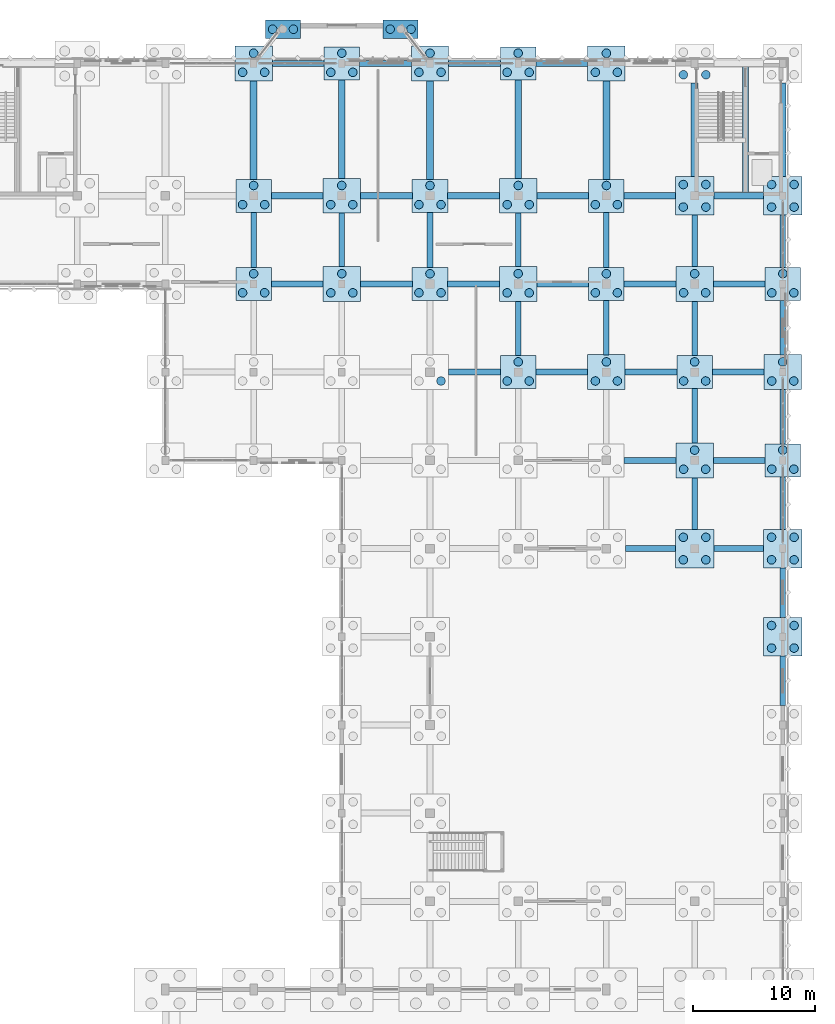
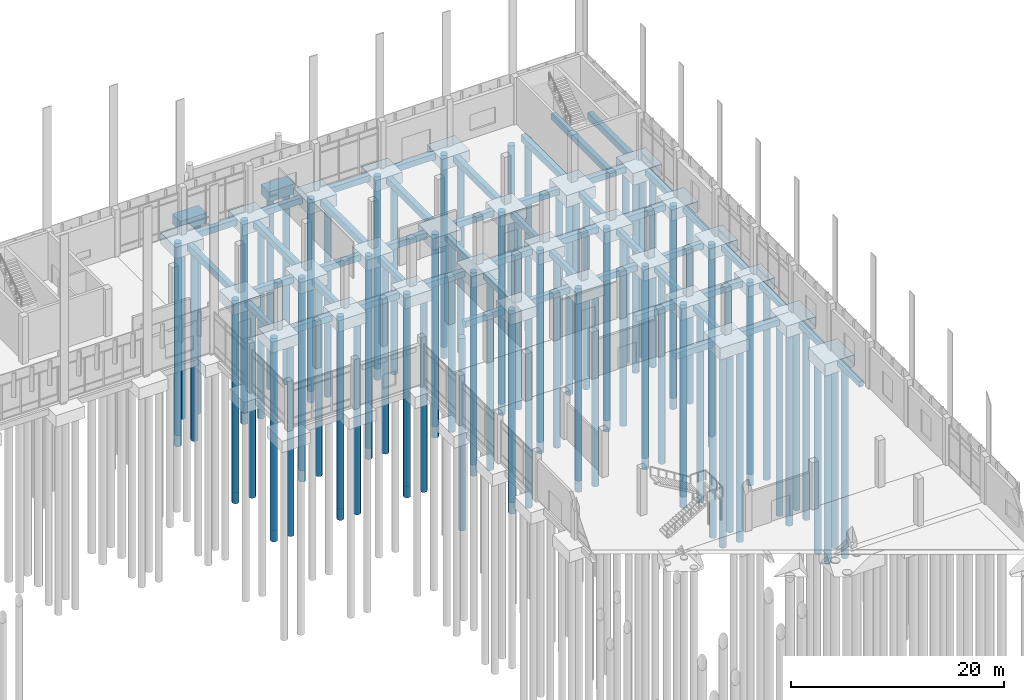
# One storey, part 9 of 109: 96 piles, 79 footings.
"""IFC4 building model written with IfcOpenShell, lengths in metres."""

from ifc_helpers import new_model, si_unit, direction, frame, origin, origin_2d, place, context, subcontext, project, spatial, rectangle, circle, extrude, material, material_profile, profile_set, type_object, element, save


model = new_model("IFC4")

# Units and contexts
model_context = context("Model", 3, precision=1e-05, world=origin(), true_north=direction((0.0, 1.0)))
body_context = subcontext(model_context, "Body", "Model", "MODEL_VIEW")
ifc_project = project(units=[si_unit("LENGTHUNIT", "METRE"), si_unit("AREAUNIT", "SQUARE_METRE"), si_unit("VOLUMEUNIT", "CUBIC_METRE"), si_unit("PLANEANGLEUNIT", "RADIAN"), si_unit("MASSUNIT", "GRAM", prefix="KILO")], contexts=[model_context])

# Site, building, storey
site_placement = place(None, origin())
site = spatial("IfcSite", under=ifc_project, at=site_placement, CompositionType="ELEMENT")
building_placement = place(site_placement, origin())
building = spatial("IfcBuilding", under=site, at=building_placement, Name="Lusvemor Sports Hall", CompositionType="ELEMENT")
storey_placement = place(building_placement, origin())
storey = spatial("IfcBuildingStorey", under=building, at=storey_placement, Name="L00", CompositionType="ELEMENT", Elevation=0.0)

# Footings
ifc_material_1 = material(Name="Concrete C40/50", Category="concrete")
ifc_material_profile_1 = material_profile(ifc_material_1, rectangle(XDim=0.449951171875, YDim=0.64990234375, at=origin_2d()), Name="GB_450x650")
ifc_profile_set_1 = profile_set([ifc_material_profile_1], Name="Concrete C40/50")
footing_type_1 = type_object("IfcFootingType", Name="GBEAM_450x650", PredefinedType="FOOTING_BEAM", material=ifc_profile_set_1)
footing_1_placement = place(storey_placement, frame((126.0, 98.548095703125, -0.625), z_axis=(0.0, 1.0, 0.0), x_axis=(-1.0, 0.0, 0.0)))
element("IfcFooting", 1, at=footing_1_placement, inside=storey, type_object=footing_type_1, Name="Ground Tie Beam 14:N-P", PredefinedType="FOOTING_BEAM", context=body_context, shape_type="SweptSolid", body=[
    extrude(rectangle(XDim=0.449951171875, YDim=0.64990234375, at=origin_2d()), origin(), (0.0, 0.0, 1.0), 4.50390625),
])
footing_2_placement = place(storey_placement, frame((133.199951171875, 98.623046875, -0.625), z_axis=(0.0, 1.0, 0.0), x_axis=(-1.0, 0.0, 0.0)))
element("IfcFooting", 2, at=footing_2_placement, inside=storey, type_object=footing_type_1, Name="Ground Tie Beam 15:N-P", PredefinedType="FOOTING_BEAM", context=body_context, shape_type="SweptSolid", body=[
    extrude(rectangle(XDim=0.449951171875, YDim=0.64990234375, at=origin_2d()), origin(), (0.0, 0.0, 1.0), 4.35400390625),
])
footing_3_placement = place(storey_placement, frame((140.39990234375, 98.548095703125, -0.625), z_axis=(0.0, 1.0, 0.0), x_axis=(-1.0, 0.0, 0.0)))
element("IfcFooting", 3, at=footing_3_placement, inside=storey, type_object=footing_type_1, Name="Ground Tie Beam 16:N-P", PredefinedType="FOOTING_BEAM", context=body_context, shape_type="SweptSolid", body=[
    extrude(rectangle(XDim=0.449951171875, YDim=0.64990234375, at=origin_2d()), origin(), (0.0, 0.0, 1.0), 4.50390625),
])
footing_4_placement = place(storey_placement, frame((147.60009765625, 91.347900390625, -0.625), z_axis=(0.0, 1.0, 0.0), x_axis=(-1.0, 0.0, 0.0)))
element("IfcFooting", 4, at=footing_4_placement, inside=storey, type_object=footing_type_1, Name="Ground Tie Beam 17:M-N", PredefinedType="FOOTING_BEAM", context=body_context, shape_type="SweptSolid", body=[
    extrude(rectangle(XDim=0.449951171875, YDim=0.64990234375, at=origin_2d()), origin(), (0.0, 0.0, 1.0), 4.42919921875),
])
footing_5_placement = place(storey_placement, frame((147.60009765625, 98.623046875, -0.625), z_axis=(0.0, 1.0, 0.0), x_axis=(-1.0, 0.0, 0.0)))
element("IfcFooting", 5, at=footing_5_placement, inside=storey, type_object=footing_type_1, Name="Ground Tie Beam 17:N-P", PredefinedType="FOOTING_BEAM", context=body_context, shape_type="SweptSolid", body=[
    extrude(rectangle(XDim=0.449951171875, YDim=0.64990234375, at=origin_2d()), origin(), (0.0, 0.0, 1.0), 4.35400390625),
])
footing_6_placement = place(storey_placement, frame((154.800048828125, 91.423095703125, -0.625), z_axis=(0.0, 1.0, 0.0), x_axis=(-1.0, 0.0, 0.0)))
element("IfcFooting", 6, at=footing_6_placement, inside=storey, type_object=footing_type_1, Name="Ground Tie Beam 18:M-N", PredefinedType="FOOTING_BEAM", context=body_context, shape_type="SweptSolid", body=[
    extrude(rectangle(XDim=0.449951171875, YDim=0.64990234375, at=origin_2d()), origin(), (0.0, 0.0, 1.0), 4.428955078125),
])
footing_7_placement = place(storey_placement, frame((154.800048828125, 98.548095703125, -0.625), z_axis=(0.0, 1.0, 0.0), x_axis=(-1.0, 0.0, 0.0)))
element("IfcFooting", 7, at=footing_7_placement, inside=storey, type_object=footing_type_1, Name="Ground Tie Beam 18:N-P", PredefinedType="FOOTING_BEAM", context=body_context, shape_type="SweptSolid", body=[
    extrude(rectangle(XDim=0.449951171875, YDim=0.64990234375, at=origin_2d()), origin(), (0.0, 0.0, 1.0), 4.50390625),
])
footing_8_placement = place(storey_placement, frame((162.0, 77.173095703125, -0.625), z_axis=(0.0, 1.0, 0.0), x_axis=(-1.0, 0.0, 0.0)))
element("IfcFooting", 8, at=footing_8_placement, inside=storey, type_object=footing_type_1, Name="Ground Tie Beam 19:K-L", PredefinedType="FOOTING_BEAM", context=body_context, shape_type="SweptSolid", body=[
    extrude(rectangle(XDim=0.449951171875, YDim=0.64990234375, at=origin_2d()), origin(), (0.0, 0.0, 1.0), 4.203857421875),
])
for number, where, z_axis, x_axis, name in (
    (9, (162.0, 84.222900390625, -0.625), (0.0, 1.0, 0.0), (-1.0, 0.0, 0.0), "Ground Tie Beam 19:L-M"),
    (10, (162.0, 91.347900390625, -0.625), (0.0, 1.0, 0.0), (-1.0, 0.0, 0.0), "Ground Tie Beam 19:M-N"),
):
    element("IfcFooting", number, at=place(storey_placement, frame(where, z_axis=z_axis, x_axis=x_axis)), inside=storey, type_object=footing_type_1, Name=name, PredefinedType="FOOTING_BEAM", context=body_context, shape_type="SweptSolid", body=[
        extrude(rectangle(XDim=0.449951171875, YDim=0.64990234375, at=origin_2d()), origin(), (0.0, 0.0, 1.0), 4.42919921875),
    ])
footing_9_placement = place(storey_placement, frame((162.0, 98.623046875, -0.625), z_axis=(0.0, 1.0, 0.0), x_axis=(-1.0, 0.0, 0.0)))
element("IfcFooting", 11, at=footing_9_placement, inside=storey, type_object=footing_type_1, Name="Ground Tie Beam 19:N-P", PredefinedType="FOOTING_BEAM", context=body_context, shape_type="SweptSolid", body=[
    extrude(rectangle(XDim=0.449951171875, YDim=0.64990234375, at=origin_2d()), origin(), (0.0, 0.0, 1.0), 4.203857421875),
])
footing_10_placement = place(storey_placement, frame((169.199951171875, 62.77294921875, -0.625), z_axis=(0.0, 1.0, 0.0), x_axis=(-1.0, 0.0, 0.0)))
element("IfcFooting", 12, at=footing_10_placement, inside=storey, type_object=footing_type_1, Name="Ground Tie Beam 20:H-J", PredefinedType="FOOTING_BEAM", context=body_context, shape_type="SweptSolid", body=[
    extrude(rectangle(XDim=0.449951171875, YDim=0.64990234375, at=origin_2d()), origin(), (0.0, 0.0, 1.0), 4.053955078125),
])
footing_11_placement = place(storey_placement, frame((169.199951171875, 69.972900390625, -0.625), z_axis=(0.0, 1.0, 0.0), x_axis=(-1.0, 0.0, 0.0)))
element("IfcFooting", 13, at=footing_11_placement, inside=storey, type_object=footing_type_1, Name="Ground Tie Beam 20:J-K", PredefinedType="FOOTING_BEAM", context=body_context, shape_type="SweptSolid", body=[
    extrude(rectangle(XDim=0.449951171875, YDim=0.64990234375, at=origin_2d()), origin(), (0.0, 0.0, 1.0), 4.05419921875),
])
footing_12_placement = place(storey_placement, frame((169.199951171875, 77.173095703125, -0.625), z_axis=(0.0, 1.0, 0.0), x_axis=(-1.0, 0.0, 0.0)))
element("IfcFooting", 14, at=footing_12_placement, inside=storey, type_object=footing_type_1, Name="Ground Tie Beam 20:K-L", PredefinedType="FOOTING_BEAM", context=body_context, shape_type="SweptSolid", body=[
    extrude(rectangle(XDim=0.449951171875, YDim=0.64990234375, at=origin_2d()), origin(), (0.0, 0.0, 1.0), 4.27880859375),
])
for number, where, z_axis, x_axis, name in (
    (15, (169.199951171875, 84.14794921875, -0.625), (0.0, 1.0, 0.0), (-1.0, 0.0, 0.0), "Ground Tie Beam 20:L-M"),
    (16, (169.199951171875, 91.423095703125, -0.625), (0.0, 1.0, 0.0), (-1.0, 0.0, 0.0), "Ground Tie Beam 20:M-N"),
):
    element("IfcFooting", number, at=place(storey_placement, frame(where, z_axis=z_axis, x_axis=x_axis)), inside=storey, type_object=footing_type_1, Name=name, PredefinedType="FOOTING_BEAM", context=body_context, shape_type="SweptSolid", body=[
        extrude(rectangle(XDim=0.449951171875, YDim=0.64990234375, at=origin_2d()), origin(), (0.0, 0.0, 1.0), 4.428955078125),
    ])
footing_13_placement = place(storey_placement, frame((169.199951171875, 98.548095703125, -0.625), z_axis=(0.0, 1.0, 0.0), x_axis=(-1.0, 0.0, 0.0)))
element("IfcFooting", 17, at=footing_13_placement, inside=storey, type_object=footing_type_1, Name="Ground Tie Beam 20:N-P", PredefinedType="FOOTING_BEAM", context=body_context, shape_type="SweptSolid", body=[
    extrude(rectangle(XDim=0.449951171875, YDim=0.64990234375, at=origin_2d()), origin(), (0.0, 0.0, 1.0), 4.27880859375),
])
ifc_material_2 = material(Name="Concrete C40/50", Category="concrete")
ifc_material_profile_2 = material_profile(ifc_material_2, rectangle(XDim=0.5, YDim=0.699951171875, at=origin_2d()), Name="GB_500x700")
ifc_profile_set_2 = profile_set([ifc_material_profile_2], Name="Concrete C40/50")
footing_type_2 = type_object("IfcFootingType", Name="GBEAM_500x700", PredefinedType="FOOTING_BEAM", material=ifc_profile_set_2)
for number, where, z_axis, x_axis, name in (
    (18, (156.373046875, 75.60009765625, -0.64990234375), (1.0, 0.0, 0.0), (0.0, 1.0, 0.0), "Ground Tie Beam K:18-19"),
    (19, (163.572998046875, 75.60009765625, -0.64990234375), (1.0, 0.0, 0.0), (0.0, 1.0, 0.0), "Ground Tie Beam K:19-20"),
):
    element("IfcFooting", number, at=place(storey_placement, frame(where, z_axis=z_axis, x_axis=x_axis)), inside=storey, type_object=footing_type_2, Name=name, PredefinedType="FOOTING_BEAM", context=body_context, shape_type="SweptSolid", body=[
        extrude(rectangle(XDim=0.5, YDim=0.699951171875, at=origin_2d()), origin(), (0.0, 0.0, 1.0), 4.053955078125),
    ])
for number, where, z_axis, x_axis, name in (
    (20, (156.248046875, 82.800048828125, -0.64990234375), (1.0, 0.0, 0.0), (0.0, 1.0, 0.0), "Ground Tie Beam L:18-19"),
    (21, (163.52294921875, 82.800048828125, -0.64990234375), (1.0, 0.0, 0.0), (0.0, 1.0, 0.0), "Ground Tie Beam L:19-20"),
    (22, (141.923095703125, 90.0, -0.64990234375), (1.0, 0.0, 0.0), (0.0, 1.0, 0.0), "Ground Tie Beam M:16-17"),
    (23, (149.048095703125, 90.0, -0.64990234375), (1.0, 0.0, 0.0), (0.0, 1.0, 0.0), "Ground Tie Beam M:17-18"),
    (24, (156.322998046875, 90.0, -0.64990234375), (1.0, 0.0, 0.0), (0.0, 1.0, 0.0), "Ground Tie Beam M:18-19"),
    (25, (163.447998046875, 90.0, -0.64990234375), (1.0, 0.0, 0.0), (0.0, 1.0, 0.0), "Ground Tie Beam M:19-20"),
    (26, (127.447998046875, 97.199951171875, -0.64990234375), (1.0, 0.0, 0.0), (0.0, 1.0, 0.0), "Ground Tie Beam N:14-15"),
    (27, (134.722900390625, 97.199951171875, -0.64990234375), (1.0, 0.0, 0.0), (0.0, 1.0, 0.0), "Ground Tie Beam N:15-16"),
    (28, (141.847900390625, 97.199951171875, -0.64990234375), (1.0, 0.0, 0.0), (0.0, 1.0, 0.0), "Ground Tie Beam N:16-17"),
    (29, (149.123046875, 97.199951171875, -0.64990234375), (1.0, 0.0, 0.0), (0.0, 1.0, 0.0), "Ground Tie Beam N:17-18"),
    (30, (156.248046875, 97.199951171875, -0.64990234375), (1.0, 0.0, 0.0), (0.0, 1.0, 0.0), "Ground Tie Beam N:18-19"),
    (31, (163.52294921875, 97.199951171875, -0.64990234375), (1.0, 0.0, 0.0), (0.0, 1.0, 0.0), "Ground Tie Beam N:19-20"),
    (32, (127.447998046875, 104.39990234375, -0.64990234375), (1.0, 0.0, 0.0), (0.0, 1.0, 0.0), "Ground Tie Beam P:14-15"),
    (33, (134.722900390625, 104.39990234375, -0.64990234375), (1.0, 0.0, 0.0), (0.0, 1.0, 0.0), "Ground Tie Beam P:15-16"),
    (34, (141.847900390625, 104.39990234375, -0.64990234375), (1.0, 0.0, 0.0), (0.0, 1.0, 0.0), "Ground Tie Beam P:16-17"),
    (35, (149.123046875, 104.39990234375, -0.64990234375), (1.0, 0.0, 0.0), (0.0, 1.0, 0.0), "Ground Tie Beam P:17-18"),
):
    element("IfcFooting", number, at=place(storey_placement, frame(where, z_axis=z_axis, x_axis=x_axis)), inside=storey, type_object=footing_type_2, Name=name, PredefinedType="FOOTING_BEAM", context=body_context, shape_type="SweptSolid", body=[
        extrude(rectangle(XDim=0.5, YDim=0.699951171875, at=origin_2d()), origin(), (0.0, 0.0, 1.0), 4.22900390625),
    ])
footing_14_placement = place(storey_placement, frame((156.248046875, 104.39990234375, -0.64990234375), z_axis=(1.0, 0.0, 0.0), x_axis=(0.0, 1.0, 0.0)))
element("IfcFooting", 36, at=footing_14_placement, inside=storey, type_object=footing_type_2, Name="Ground Tie Beam P:18-19", PredefinedType="FOOTING_BEAM", context=body_context, shape_type="SweptSolid", body=[
    extrude(rectangle(XDim=0.5, YDim=0.699951171875, at=origin_2d()), origin(), (0.0, 0.0, 1.0), 4.178955078125),
])
footing_15_placement = place(storey_placement, frame((163.572998046875, 104.39990234375, -0.64990234375), z_axis=(1.0, 0.0, 0.0), x_axis=(0.0, 1.0, 0.0)))
element("IfcFooting", 37, at=footing_15_placement, inside=storey, type_object=footing_type_2, Name="Ground Tie Beam P:19-20", PredefinedType="FOOTING_BEAM", context=body_context, shape_type="SweptSolid", body=[
    extrude(rectangle(XDim=0.5, YDim=0.699951171875, at=origin_2d()), origin(), (0.0, 0.0, 1.0), 4.053955078125),
])
for number, where, z_axis, x_axis, name in (
    (38, (127.52294921875, 115.199951171875, -0.64990234375), (1.0, 0.0, 0.0), (0.0, 1.0, 0.0), "Ground Tie Beam Q:14-15"),
    (39, (134.64794921875, 115.199951171875, -0.64990234375), (1.0, 0.0, 0.0), (0.0, 1.0, 0.0), "Ground Tie Beam Q:15-16"),
    (40, (141.923095703125, 115.199951171875, -0.64990234375), (1.0, 0.0, 0.0), (0.0, 1.0, 0.0), "Ground Tie Beam Q:16-17"),
    (41, (149.048095703125, 115.199951171875, -0.64990234375), (1.0, 0.0, 0.0), (0.0, 1.0, 0.0), "Ground Tie Beam Q:17-18"),
):
    element("IfcFooting", number, at=place(storey_placement, frame(where, z_axis=z_axis, x_axis=x_axis)), inside=storey, type_object=footing_type_2, Name=name, PredefinedType="FOOTING_BEAM", context=body_context, shape_type="SweptSolid", body=[
        extrude(rectangle(XDim=0.5, YDim=0.699951171875, at=origin_2d()), origin(), (0.0, 0.0, 1.0), 4.22900390625),
    ])
footing_16_placement = place(storey_placement, frame((166.14990234375, 104.39990234375, -0.64990234375), z_axis=(0.0, 1.0, 0.0), x_axis=(-1.0, 0.0, 0.0)))
element("IfcFooting", 42, at=footing_16_placement, inside=storey, type_object=footing_type_2, Name="Core C5 Northeast Divider Ground Beam", PredefinedType="FOOTING_BEAM", context=body_context, shape_type="SweptSolid", body=[
    extrude(rectangle(XDim=0.5, YDim=0.699951171875, at=origin_2d()), origin(), (0.0, 0.0, 1.0), 10.800048828125),
])
ifc_material_3 = material(Name="Concrete C40/50", Category="concrete")
ifc_material_profile_3 = material_profile(ifc_material_3, rectangle(XDim=0.550048828125, YDim=0.75, at=origin_2d()), Name="GB_550x750")
ifc_profile_set_3 = profile_set([ifc_material_profile_3], Name="Concrete C40/50")
footing_type_3 = type_object("IfcFootingType", Name="GBEAM_550x750", PredefinedType="FOOTING_BEAM", material=ifc_profile_set_3)
for number, where, z_axis, x_axis, name in (
    (43, (126.0, 105.748046875, -0.675048828125), (0.0, 1.0, 0.0), (-1.0, 0.0, 0.0), "Ground Tie Beam 14:P-Q"),
    (44, (133.199951171875, 105.822998046875, -0.675048828125), (0.0, 1.0, 0.0), (-1.0, 0.0, 0.0), "Ground Tie Beam 15:P-Q"),
    (45, (140.39990234375, 105.748046875, -0.675048828125), (0.0, 1.0, 0.0), (-1.0, 0.0, 0.0), "Ground Tie Beam 16:P-Q"),
    (46, (147.60009765625, 105.822998046875, -0.675048828125), (0.0, 1.0, 0.0), (-1.0, 0.0, 0.0), "Ground Tie Beam 17:P-Q"),
    (47, (154.800048828125, 105.748046875, -0.675048828125), (0.0, 1.0, 0.0), (-1.0, 0.0, 0.0), "Ground Tie Beam 18:P-Q"),
):
    element("IfcFooting", number, at=place(storey_placement, frame(where, z_axis=z_axis, x_axis=x_axis)), inside=storey, type_object=footing_type_3, Name=name, PredefinedType="FOOTING_BEAM", context=body_context, shape_type="SweptSolid", body=[
        extrude(rectangle(XDim=0.550048828125, YDim=0.75, at=origin_2d()), origin(), (0.0, 0.0, 1.0), 8.029052734375),
    ])
for number, where, z_axis, x_axis, name in (
    (48, (162.0, 105.972900390625, -0.675048828125), (0.0, 1.0, 0.0), (-1.0, 0.0, 0.0), "Ground Tie Beam 19:P-Q"),
    (49, (169.199951171875, 105.972900390625, -0.675048828125), (0.0, 1.0, 0.0), (-1.0, 0.0, 0.0), "Ground Tie Beam 20:P-Q"),
):
    element("IfcFooting", number, at=place(storey_placement, frame(where, z_axis=z_axis, x_axis=x_axis)), inside=storey, type_object=footing_type_3, Name=name, PredefinedType="FOOTING_BEAM", context=body_context, shape_type="SweptSolid", body=[
        extrude(rectangle(XDim=0.550048828125, YDim=0.75, at=origin_2d()), origin(), (0.0, 0.0, 1.0), 7.654052734375),
    ])
ifc_material_4 = material(Name="Concrete C40/50", Category="concrete")
footing_type_4 = type_object("IfcFootingType", Name="PCAP_2P_B", PredefinedType="PILE_CAP", material=ifc_material_4)
for number, where, z_axis, x_axis, name in (
    (50, (128.39990234375, 118.0, -1.449951171875), (0.0, 0.0, 1.0), (1.0, 0.0, 0.0), "Bow Pavilion Cap BOW-N3-1"),
    (51, (138.0, 118.0, -1.449951171875), (0.0, 0.0, 1.0), (1.0, 0.0, 0.0), "Bow Pavilion Cap BOW-N3-2"),
):
    element("IfcFooting", number, at=place(storey_placement, frame(where, z_axis=z_axis, x_axis=x_axis)), inside=storey, type_object=footing_type_4, Name=name, PredefinedType="PILE_CAP", context=body_context, shape_type="SweptSolid", body=[
        extrude(rectangle(XDim=2.85009765625, YDim=1.5, at=origin_2d()), origin(), (0.0, 0.0, 1.0), 1.14990234375),
    ])
ifc_material_5 = material(Name="Concrete C40/50", Category="concrete")
footing_type_5 = type_object("IfcFootingType", Name="PCAP_3P_A", PredefinedType="PILE_CAP", material=ifc_material_5)
for number, where, z_axis, x_axis, name in (
    (52, (126.0, 97.199951171875, -1.550048828125), (0.0, 0.0, 1.0), (1.0, 0.0, 0.0), "Pile Cap 14/N"),
    (53, (126.0, 104.39990234375, -1.550048828125), (0.0, 0.0, 1.0), (1.0, 0.0, 0.0), "Pile Cap 14/P"),
    (54, (133.199951171875, 115.199951171875, -1.550048828125), (0.0, 0.0, 1.0), (1.0, 0.0, 0.0), "Pile Cap 15/Q"),
    (55, (140.39990234375, 97.199951171875, -1.550048828125), (0.0, 0.0, 1.0), (1.0, 0.0, 0.0), "Pile Cap 16/N"),
    (56, (140.39990234375, 104.39990234375, -1.550048828125), (0.0, 0.0, 1.0), (1.0, 0.0, 0.0), "Pile Cap 16/P"),
    (57, (147.60009765625, 90.0, -1.550048828125), (0.0, 0.0, 1.0), (1.0, 0.0, 0.0), "Pile Cap 17/M"),
    (58, (147.60009765625, 115.199951171875, -1.550048828125), (0.0, 0.0, 1.0), (1.0, 0.0, 0.0), "Pile Cap 17/Q"),
    (59, (154.800048828125, 97.199951171875, -1.550048828125), (0.0, 0.0, 1.0), (1.0, 0.0, 0.0), "Pile Cap 18/N"),
    (60, (154.800048828125, 104.39990234375, -1.550048828125), (0.0, 0.0, 1.0), (1.0, 0.0, 0.0), "Pile Cap 18/P"),
    (61, (162.0, 90.0, -1.550048828125), (0.0, 0.0, 1.0), (1.0, 0.0, 0.0), "Pile Cap 19/M"),
    (62, (169.199951171875, 82.800048828125, -1.550048828125), (0.0, 0.0, 1.0), (1.0, 0.0, 0.0), "Pile Cap 20/L"),
    (63, (169.199951171875, 97.199951171875, -1.550048828125), (0.0, 0.0, 1.0), (1.0, 0.0, 0.0), "Pile Cap 20/N"),
):
    element("IfcFooting", number, at=place(storey_placement, frame(where, z_axis=z_axis, x_axis=x_axis)), inside=storey, type_object=footing_type_5, Name=name, PredefinedType="PILE_CAP", context=body_context, shape_type="SweptSolid", body=[
        extrude(rectangle(XDim=2.89990234375, YDim=2.699951171875, at=origin_2d()), origin(), (0.0, 0.0, 1.0), 1.25),
    ])
ifc_material_6 = material(Name="Concrete C40/50", Category="concrete")
footing_type_6 = type_object("IfcFootingType", Name="PCAP_3P_B", PredefinedType="PILE_CAP", material=ifc_material_6)
for number, where, z_axis, x_axis, name in (
    (64, (126.0, 115.199951171875, -1.60009765625), (0.0, 0.0, 1.0), (1.0, 0.0, 0.0), "Pile Cap 14/Q"),
    (65, (133.199951171875, 97.199951171875, -1.60009765625), (0.0, 0.0, 1.0), (1.0, 0.0, 0.0), "Pile Cap 15/N"),
    (66, (133.199951171875, 104.39990234375, -1.60009765625), (0.0, 0.0, 1.0), (1.0, 0.0, 0.0), "Pile Cap 15/P"),
    (67, (140.39990234375, 115.199951171875, -1.60009765625), (0.0, 0.0, 1.0), (1.0, 0.0, 0.0), "Pile Cap 16/Q"),
    (68, (147.60009765625, 97.199951171875, -1.60009765625), (0.0, 0.0, 1.0), (1.0, 0.0, 0.0), "Pile Cap 17/N"),
    (69, (147.60009765625, 104.39990234375, -1.60009765625), (0.0, 0.0, 1.0), (1.0, 0.0, 0.0), "Pile Cap 17/P"),
    (70, (154.800048828125, 90.0, -1.60009765625), (0.0, 0.0, 1.0), (1.0, 0.0, 0.0), "Pile Cap 18/M"),
    (71, (154.800048828125, 115.199951171875, -1.60009765625), (0.0, 0.0, 1.0), (1.0, 0.0, 0.0), "Pile Cap 18/Q"),
    (72, (162.0, 82.800048828125, -1.60009765625), (0.0, 0.0, 1.0), (1.0, 0.0, 0.0), "Pile Cap 19/L"),
    (73, (162.0, 97.199951171875, -1.60009765625), (0.0, 0.0, 1.0), (1.0, 0.0, 0.0), "Pile Cap 19/N"),
    (74, (169.199951171875, 90.0, -1.60009765625), (0.0, 0.0, 1.0), (1.0, 0.0, 0.0), "Pile Cap 20/M"),
):
    element("IfcFooting", number, at=place(storey_placement, frame(where, z_axis=z_axis, x_axis=x_axis)), inside=storey, type_object=footing_type_6, Name=name, PredefinedType="PILE_CAP", context=body_context, shape_type="SweptSolid", body=[
        extrude(rectangle(XDim=3.050048828125, YDim=2.85009765625, at=origin_2d()), origin(), (0.0, 0.0, 1.0), 1.300048828125),
    ])
ifc_material_7 = material(Name="Concrete C40/50", Category="concrete")
footing_type_7 = type_object("IfcFootingType", Name="PCAP_4P_A", PredefinedType="PILE_CAP", material=ifc_material_7)
for number, where, z_axis, x_axis, name in (
    (75, (162.0, 75.60009765625, -1.650146484375), (0.0, 0.0, 1.0), (1.0, 0.0, 0.0), "Pile Cap 19/K"),
    (76, (162.0, 104.39990234375, -1.650146484375), (0.0, 0.0, 1.0), (1.0, 0.0, 0.0), "Pile Cap 19/P"),
    (77, (169.199951171875, 68.39990234375, -1.650146484375), (0.0, 0.0, 1.0), (1.0, 0.0, 0.0), "Pile Cap 20/J"),
    (78, (169.199951171875, 75.60009765625, -1.650146484375), (0.0, 0.0, 1.0), (1.0, 0.0, 0.0), "Pile Cap 20/K"),
    (79, (169.199951171875, 104.39990234375, -1.650146484375), (0.0, 0.0, 1.0), (1.0, 0.0, 0.0), "Pile Cap 20/P"),
):
    element("IfcFooting", number, at=place(storey_placement, frame(where, z_axis=z_axis, x_axis=x_axis)), inside=storey, type_object=footing_type_7, Name=name, PredefinedType="PILE_CAP", context=body_context, shape_type="SweptSolid", body=[
        extrude(rectangle(XDim=3.14990234375, YDim=3.14990234375, at=origin_2d()), origin(), (0.0, 0.0, 1.0), 1.35009765625),
    ])

# Piles
ifc_material_8 = material(Name="Concrete C40/50", Category="concrete")
ifc_material_profile_4 = material_profile(ifc_material_8, circle(Radius=0.35009765625, at=origin_2d()), Name="PILE700")
ifc_profile_set_4 = profile_set([ifc_material_profile_4], Name="Concrete C40/50")
pile_type = type_object("IfcPileType", Name="PILE_BORED_700", PredefinedType="BORED", material=ifc_profile_set_4)
for number, where, z_axis, x_axis, name in (
    (80, (125.10009765625, 96.47998046875, -1.449951171875), (0.0, 0.0, -1.0), (1.0, 0.0, 0.0), "Bored Pile 14/N-1"),
    (81, (126.89990234375, 96.47998046875, -1.449951171875), (0.0, 0.0, -1.0), (1.0, 0.0, 0.0), "Bored Pile 14/N-2"),
    (82, (126.0, 98.0400390625, -1.449951171875), (0.0, 0.0, -1.0), (1.0, 0.0, 0.0), "Bored Pile 14/N-3"),
    (83, (125.10009765625, 103.679931640625, -1.449951171875), (0.0, 0.0, -1.0), (1.0, 0.0, 0.0), "Bored Pile 14/P-1"),
    (84, (126.89990234375, 103.679931640625, -1.449951171875), (0.0, 0.0, -1.0), (1.0, 0.0, 0.0), "Bored Pile 14/P-2"),
    (85, (126.0, 105.239990234375, -1.449951171875), (0.0, 0.0, -1.0), (1.0, 0.0, 0.0), "Bored Pile 14/P-3"),
    (86, (125.10009765625, 114.47998046875, -1.5), (0.0, 0.0, -1.0), (1.0, 0.0, 0.0), "Bored Pile 14/Q-1"),
    (87, (126.89990234375, 114.47998046875, -1.5), (0.0, 0.0, -1.0), (1.0, 0.0, 0.0), "Bored Pile 14/Q-2"),
    (88, (126.0, 116.0400390625, -1.5), (0.0, 0.0, -1.0), (1.0, 0.0, 0.0), "Bored Pile 14/Q-3"),
    (89, (132.300048828125, 96.47998046875, -1.5), (0.0, 0.0, -1.0), (1.0, 0.0, 0.0), "Bored Pile 15/N-1"),
    (90, (134.10009765625, 96.47998046875, -1.5), (0.0, 0.0, -1.0), (1.0, 0.0, 0.0), "Bored Pile 15/N-2"),
    (91, (133.199951171875, 98.0400390625, -1.5), (0.0, 0.0, -1.0), (1.0, 0.0, 0.0), "Bored Pile 15/N-3"),
    (92, (132.300048828125, 103.679931640625, -1.5), (0.0, 0.0, -1.0), (1.0, 0.0, 0.0), "Bored Pile 15/P-1"),
    (93, (134.10009765625, 103.679931640625, -1.5), (0.0, 0.0, -1.0), (1.0, 0.0, 0.0), "Bored Pile 15/P-2"),
    (94, (133.199951171875, 105.239990234375, -1.5), (0.0, 0.0, -1.0), (1.0, 0.0, 0.0), "Bored Pile 15/P-3"),
    (95, (132.300048828125, 114.47998046875, -1.449951171875), (0.0, 0.0, -1.0), (1.0, 0.0, 0.0), "Bored Pile 15/Q-1"),
    (96, (134.10009765625, 114.47998046875, -1.449951171875), (0.0, 0.0, -1.0), (1.0, 0.0, 0.0), "Bored Pile 15/Q-2"),
    (97, (133.199951171875, 116.0400390625, -1.449951171875), (0.0, 0.0, -1.0), (1.0, 0.0, 0.0), "Bored Pile 15/Q-3"),
    (98, (141.300048828125, 89.280029296875, -1.5), (0.0, 0.0, -1.0), (1.0, 0.0, 0.0), "Bored Pile 16/M-2"),
    (99, (139.5, 96.47998046875, -1.449951171875), (0.0, 0.0, -1.0), (1.0, 0.0, 0.0), "Bored Pile 16/N-1"),
    (100, (141.300048828125, 96.47998046875, -1.449951171875), (0.0, 0.0, -1.0), (1.0, 0.0, 0.0), "Bored Pile 16/N-2"),
    (101, (140.39990234375, 98.0400390625, -1.449951171875), (0.0, 0.0, -1.0), (1.0, 0.0, 0.0), "Bored Pile 16/N-3"),
    (102, (139.5, 103.679931640625, -1.449951171875), (0.0, 0.0, -1.0), (1.0, 0.0, 0.0), "Bored Pile 16/P-1"),
    (103, (141.300048828125, 103.679931640625, -1.449951171875), (0.0, 0.0, -1.0), (1.0, 0.0, 0.0), "Bored Pile 16/P-2"),
    (104, (140.39990234375, 105.239990234375, -1.449951171875), (0.0, 0.0, -1.0), (1.0, 0.0, 0.0), "Bored Pile 16/P-3"),
    (105, (139.5, 114.47998046875, -1.5), (0.0, 0.0, -1.0), (1.0, 0.0, 0.0), "Bored Pile 16/Q-1"),
    (106, (141.300048828125, 114.47998046875, -1.5), (0.0, 0.0, -1.0), (1.0, 0.0, 0.0), "Bored Pile 16/Q-2"),
    (107, (140.39990234375, 116.0400390625, -1.5), (0.0, 0.0, -1.0), (1.0, 0.0, 0.0), "Bored Pile 16/Q-3"),
    (108, (146.699951171875, 89.280029296875, -1.449951171875), (0.0, 0.0, -1.0), (1.0, 0.0, 0.0), "Bored Pile 17/M-1"),
    (109, (148.5, 89.280029296875, -1.449951171875), (0.0, 0.0, -1.0), (1.0, 0.0, 0.0), "Bored Pile 17/M-2"),
    (110, (147.60009765625, 90.840087890625, -1.449951171875), (0.0, 0.0, -1.0), (1.0, 0.0, 0.0), "Bored Pile 17/M-3"),
    (111, (146.699951171875, 96.47998046875, -1.5), (0.0, 0.0, -1.0), (1.0, 0.0, 0.0), "Bored Pile 17/N-1"),
    (112, (148.5, 96.47998046875, -1.5), (0.0, 0.0, -1.0), (1.0, 0.0, 0.0), "Bored Pile 17/N-2"),
    (113, (147.60009765625, 98.0400390625, -1.5), (0.0, 0.0, -1.0), (1.0, 0.0, 0.0), "Bored Pile 17/N-3"),
    (114, (146.699951171875, 103.679931640625, -1.5), (0.0, 0.0, -1.0), (1.0, 0.0, 0.0), "Bored Pile 17/P-1"),
    (115, (148.5, 103.679931640625, -1.5), (0.0, 0.0, -1.0), (1.0, 0.0, 0.0), "Bored Pile 17/P-2"),
    (116, (147.60009765625, 105.239990234375, -1.5), (0.0, 0.0, -1.0), (1.0, 0.0, 0.0), "Bored Pile 17/P-3"),
    (117, (146.699951171875, 114.47998046875, -1.449951171875), (0.0, 0.0, -1.0), (1.0, 0.0, 0.0), "Bored Pile 17/Q-1"),
    (118, (148.5, 114.47998046875, -1.449951171875), (0.0, 0.0, -1.0), (1.0, 0.0, 0.0), "Bored Pile 17/Q-2"),
    (119, (147.60009765625, 116.0400390625, -1.449951171875), (0.0, 0.0, -1.0), (1.0, 0.0, 0.0), "Bored Pile 17/Q-3"),
    (120, (153.89990234375, 89.280029296875, -1.5), (0.0, 0.0, -1.0), (1.0, 0.0, 0.0), "Bored Pile 18/M-1"),
    (121, (155.699951171875, 89.280029296875, -1.5), (0.0, 0.0, -1.0), (1.0, 0.0, 0.0), "Bored Pile 18/M-2"),
    (122, (154.800048828125, 90.840087890625, -1.5), (0.0, 0.0, -1.0), (1.0, 0.0, 0.0), "Bored Pile 18/M-3"),
    (123, (153.89990234375, 96.47998046875, -1.449951171875), (0.0, 0.0, -1.0), (1.0, 0.0, 0.0), "Bored Pile 18/N-1"),
    (124, (155.699951171875, 96.47998046875, -1.449951171875), (0.0, 0.0, -1.0), (1.0, 0.0, 0.0), "Bored Pile 18/N-2"),
    (125, (154.800048828125, 98.0400390625, -1.449951171875), (0.0, 0.0, -1.0), (1.0, 0.0, 0.0), "Bored Pile 18/N-3"),
    (126, (153.89990234375, 103.679931640625, -1.449951171875), (0.0, 0.0, -1.0), (1.0, 0.0, 0.0), "Bored Pile 18/P-1"),
    (127, (155.699951171875, 103.679931640625, -1.449951171875), (0.0, 0.0, -1.0), (1.0, 0.0, 0.0), "Bored Pile 18/P-2"),
    (128, (154.800048828125, 105.239990234375, -1.449951171875), (0.0, 0.0, -1.0), (1.0, 0.0, 0.0), "Bored Pile 18/P-3"),
    (129, (153.89990234375, 114.47998046875, -1.5), (0.0, 0.0, -1.0), (1.0, 0.0, 0.0), "Bored Pile 18/Q-1"),
    (130, (155.699951171875, 114.47998046875, -1.5), (0.0, 0.0, -1.0), (1.0, 0.0, 0.0), "Bored Pile 18/Q-2"),
    (131, (154.800048828125, 116.0400390625, -1.5), (0.0, 0.0, -1.0), (1.0, 0.0, 0.0), "Bored Pile 18/Q-3"),
    (132, (161.080078125, 74.679931640625, -1.550048828125), (0.0, 0.0, -1.0), (1.0, 0.0, 0.0), "Bored Pile 19/K-1"),
    (133, (162.919921875, 74.679931640625, -1.550048828125), (0.0, 0.0, -1.0), (1.0, 0.0, 0.0), "Bored Pile 19/K-2"),
    (134, (161.080078125, 76.52001953125, -1.550048828125), (0.0, 0.0, -1.0), (1.0, 0.0, 0.0), "Bored Pile 19/K-3"),
    (135, (162.919921875, 76.52001953125, -1.550048828125), (0.0, 0.0, -1.0), (1.0, 0.0, 0.0), "Bored Pile 19/K-4"),
    (136, (161.10009765625, 82.080078125, -1.5), (0.0, 0.0, -1.0), (1.0, 0.0, 0.0), "Bored Pile 19/L-1"),
    (137, (162.89990234375, 82.080078125, -1.5), (0.0, 0.0, -1.0), (1.0, 0.0, 0.0), "Bored Pile 19/L-2"),
    (138, (162.0, 83.639892578125, -1.5), (0.0, 0.0, -1.0), (1.0, 0.0, 0.0), "Bored Pile 19/L-3"),
    (139, (161.10009765625, 89.280029296875, -1.449951171875), (0.0, 0.0, -1.0), (1.0, 0.0, 0.0), "Bored Pile 19/M-1"),
    (140, (162.89990234375, 89.280029296875, -1.449951171875), (0.0, 0.0, -1.0), (1.0, 0.0, 0.0), "Bored Pile 19/M-2"),
    (141, (162.0, 90.840087890625, -1.449951171875), (0.0, 0.0, -1.0), (1.0, 0.0, 0.0), "Bored Pile 19/M-3"),
    (142, (161.10009765625, 96.47998046875, -1.5), (0.0, 0.0, -1.0), (1.0, 0.0, 0.0), "Bored Pile 19/N-1"),
    (143, (162.89990234375, 96.47998046875, -1.5), (0.0, 0.0, -1.0), (1.0, 0.0, 0.0), "Bored Pile 19/N-2"),
    (144, (162.0, 98.0400390625, -1.5), (0.0, 0.0, -1.0), (1.0, 0.0, 0.0), "Bored Pile 19/N-3"),
    (145, (161.080078125, 103.47998046875, -1.550048828125), (0.0, 0.0, -1.0), (1.0, 0.0, 0.0), "Bored Pile 19/P-1"),
    (146, (162.919921875, 103.47998046875, -1.550048828125), (0.0, 0.0, -1.0), (1.0, 0.0, 0.0), "Bored Pile 19/P-2"),
    (147, (161.080078125, 105.320068359375, -1.550048828125), (0.0, 0.0, -1.0), (1.0, 0.0, 0.0), "Bored Pile 19/P-3"),
    (148, (162.919921875, 105.320068359375, -1.550048828125), (0.0, 0.0, -1.0), (1.0, 0.0, 0.0), "Bored Pile 19/P-4"),
    (149, (161.080078125, 114.280029296875, -1.550048828125), (0.0, 0.0, -1.0), (1.0, 0.0, 0.0), "Bored Pile 19/Q-1"),
    (150, (162.919921875, 114.280029296875, -1.550048828125), (0.0, 0.0, -1.0), (1.0, 0.0, 0.0), "Bored Pile 19/Q-2"),
    (151, (168.280029296875, 67.47998046875, -1.550048828125), (0.0, 0.0, -1.0), (1.0, 0.0, 0.0), "Bored Pile 20/J-1"),
    (152, (170.1201171875, 67.47998046875, -1.550048828125), (0.0, 0.0, -1.0), (1.0, 0.0, 0.0), "Bored Pile 20/J-2"),
    (153, (168.280029296875, 69.320068359375, -1.550048828125), (0.0, 0.0, -1.0), (1.0, 0.0, 0.0), "Bored Pile 20/J-3"),
    (154, (170.1201171875, 69.320068359375, -1.550048828125), (0.0, 0.0, -1.0), (1.0, 0.0, 0.0), "Bored Pile 20/J-4"),
    (155, (168.280029296875, 74.679931640625, -1.550048828125), (0.0, 0.0, -1.0), (1.0, 0.0, 0.0), "Bored Pile 20/K-1"),
    (156, (170.1201171875, 74.679931640625, -1.550048828125), (0.0, 0.0, -1.0), (1.0, 0.0, 0.0), "Bored Pile 20/K-2"),
    (157, (168.280029296875, 76.52001953125, -1.550048828125), (0.0, 0.0, -1.0), (1.0, 0.0, 0.0), "Bored Pile 20/K-3"),
    (158, (170.1201171875, 76.52001953125, -1.550048828125), (0.0, 0.0, -1.0), (1.0, 0.0, 0.0), "Bored Pile 20/K-4"),
    (159, (168.300048828125, 82.080078125, -1.449951171875), (0.0, 0.0, -1.0), (1.0, 0.0, 0.0), "Bored Pile 20/L-1"),
    (160, (170.10009765625, 82.080078125, -1.449951171875), (0.0, 0.0, -1.0), (1.0, 0.0, 0.0), "Bored Pile 20/L-2"),
    (161, (169.199951171875, 83.639892578125, -1.449951171875), (0.0, 0.0, -1.0), (1.0, 0.0, 0.0), "Bored Pile 20/L-3"),
    (162, (168.300048828125, 89.280029296875, -1.5), (0.0, 0.0, -1.0), (1.0, 0.0, 0.0), "Bored Pile 20/M-1"),
    (163, (170.10009765625, 89.280029296875, -1.5), (0.0, 0.0, -1.0), (1.0, 0.0, 0.0), "Bored Pile 20/M-2"),
    (164, (169.199951171875, 90.840087890625, -1.5), (0.0, 0.0, -1.0), (1.0, 0.0, 0.0), "Bored Pile 20/M-3"),
    (165, (168.300048828125, 96.47998046875, -1.449951171875), (0.0, 0.0, -1.0), (1.0, 0.0, 0.0), "Bored Pile 20/N-1"),
    (166, (170.10009765625, 96.47998046875, -1.449951171875), (0.0, 0.0, -1.0), (1.0, 0.0, 0.0), "Bored Pile 20/N-2"),
    (167, (169.199951171875, 98.0400390625, -1.449951171875), (0.0, 0.0, -1.0), (1.0, 0.0, 0.0), "Bored Pile 20/N-3"),
    (168, (168.280029296875, 103.47998046875, -1.550048828125), (0.0, 0.0, -1.0), (1.0, 0.0, 0.0), "Bored Pile 20/P-1"),
    (169, (170.1201171875, 103.47998046875, -1.550048828125), (0.0, 0.0, -1.0), (1.0, 0.0, 0.0), "Bored Pile 20/P-2"),
    (170, (168.280029296875, 105.320068359375, -1.550048828125), (0.0, 0.0, -1.0), (1.0, 0.0, 0.0), "Bored Pile 20/P-3"),
    (171, (170.1201171875, 105.320068359375, -1.550048828125), (0.0, 0.0, -1.0), (1.0, 0.0, 0.0), "Bored Pile 20/P-4"),
    (172, (127.550048828125, 118.0, -1.35009765625), (0.0, 0.0, -1.0), (1.0, 0.0, 0.0), "Bow Pavilion Pile BOW-N3-1-1"),
    (173, (129.25, 118.0, -1.35009765625), (0.0, 0.0, -1.0), (1.0, 0.0, 0.0), "Bow Pavilion Pile BOW-N3-1-2"),
    (174, (137.14990234375, 118.0, -1.35009765625), (0.0, 0.0, -1.0), (1.0, 0.0, 0.0), "Bow Pavilion Pile BOW-N3-2-1"),
    (175, (138.85009765625, 118.0, -1.35009765625), (0.0, 0.0, -1.0), (1.0, 0.0, 0.0), "Bow Pavilion Pile BOW-N3-2-2"),
):
    element("IfcPile", number, at=place(storey_placement, frame(where, z_axis=z_axis, x_axis=x_axis)), inside=storey, type_object=pile_type, Name=name, PredefinedType="BORED", context=body_context, shape_type="SweptSolid", body=[
        extrude(circle(Radius=0.35009765625, at=origin_2d()), origin(), (0.0, 0.0, 1.0), 22.0),
    ])

save(model, "model.ifc")
